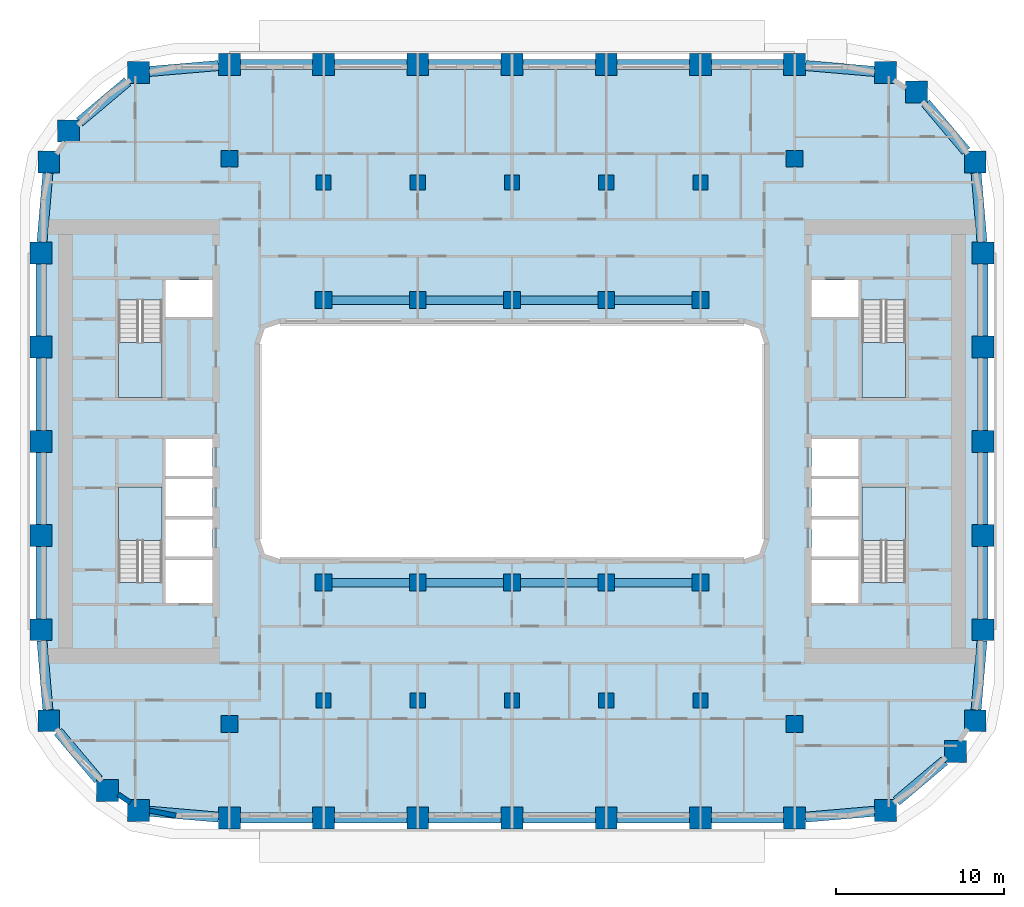
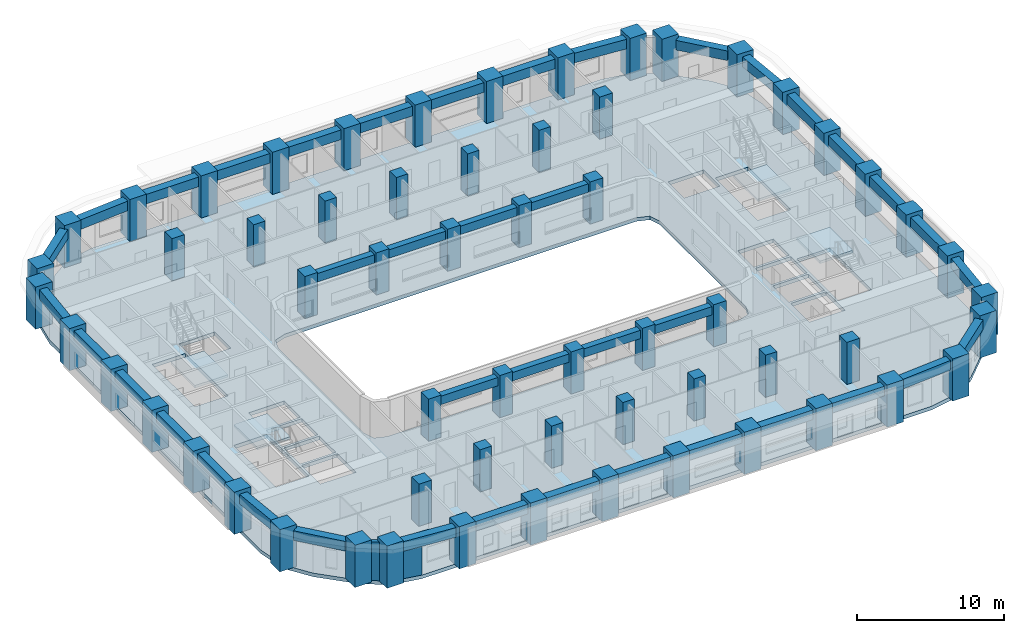
# One storey, part 1 of 22: 60 columns, 40 beams, 5 slabs, 2 walls, 4 elements without a shape of their own.
"""IFC4 building model written with IfcOpenShell, lengths in metres."""

from ifc_helpers import new_model, si_unit, direction, frame, frame_2d, origin, origin_2d, place, context, subcontext, project, spatial, polyline, rectangle, outline, extrude, material, layer, layer_set, material_profile, profile_set, type_object, element, aggregate, save


model = new_model("IFC4")

# Units and contexts
model_context = context("Model", 3, precision=1e-05, world=origin(), true_north=direction((0.0, 1.0)))
body_context = subcontext(model_context, "Body", "Model", "MODEL_VIEW")
ifc_project = project(units=[si_unit("LENGTHUNIT", "METRE"), si_unit("AREAUNIT", "SQUARE_METRE"), si_unit("VOLUMEUNIT", "CUBIC_METRE"), si_unit("PLANEANGLEUNIT", "RADIAN"), si_unit("MASSUNIT", "GRAM", prefix="KILO")], contexts=[model_context])

# Site, building, storey
site_placement = place(None, origin())
site = spatial("IfcSite", under=ifc_project, at=site_placement, CompositionType="ELEMENT")
building_placement = place(site_placement, origin())
building = spatial("IfcBuilding", under=site, at=building_placement, Name="Kiln Ring Residences", CompositionType="ELEMENT")
storey_placement = place(building_placement, frame((0.0, 0.0, 90.300048828125)))
storey = spatial("IfcBuildingStorey", under=building, at=storey_placement, Name="L22", CompositionType="ELEMENT", Elevation=90.300048828125)

# Columns
ifc_material_1 = material(Name="Concrete C80/95", Category="concrete")
ifc_material_profile_1 = material_profile(ifc_material_1, rectangle(XDim=0.89990234375, YDim=0.89990234375, at=origin_2d()), Name="RC900x900")
ifc_profile_set_1 = profile_set([ifc_material_profile_1], Name="Concrete C80/95")
column_type_1 = type_object("IfcColumnType", Name="Corridor column RC900x900 C80/95", PredefinedType="COLUMN", material=ifc_profile_set_1)
for number, where, z_axis, x_axis, name in (
    (1, (-11.199951171875, 15.39990234375, 0.0), (0.0, 0.0, 1.0), (1.0, 0.0, 0.0), "Corridor column L22 1"),
    (2, (-5.60009765625, 15.39990234375, 0.0), (0.0, 0.0, 1.0), (1.0, 0.0, 0.0), "Corridor column L22 2"),
    (3, (0.0, 15.39990234375, 0.0), (0.0, 0.0, 1.0), (1.0, 0.0, 0.0), "Corridor column L22 3"),
    (4, (5.60009765625, 15.39990234375, 0.0), (0.0, 0.0, 1.0), (1.0, 0.0, 0.0), "Corridor column L22 4"),
    (5, (11.199951171875, 15.39990234375, 0.0), (0.0, 0.0, 1.0), (1.0, 0.0, 0.0), "Corridor column L22 5"),
    (6, (-11.199951171875, -15.39990234375, 0.0), (0.0, 0.0, 1.0), (1.0, 0.0, 0.0), "Corridor column L22 6"),
    (7, (-5.60009765625, -15.39990234375, 0.0), (0.0, 0.0, 1.0), (1.0, 0.0, 0.0), "Corridor column L22 7"),
    (8, (0.0, -15.39990234375, 0.0), (0.0, 0.0, 1.0), (1.0, 0.0, 0.0), "Corridor column L22 8"),
    (9, (5.60009765625, -15.39990234375, 0.0), (0.0, 0.0, 1.0), (1.0, 0.0, 0.0), "Corridor column L22 9"),
    (10, (11.199951171875, -15.39990234375, 0.0), (0.0, 0.0, 1.0), (1.0, 0.0, 0.0), "Corridor column L22 10"),
):
    element("IfcColumn", number, at=place(storey_placement, frame(where, z_axis=z_axis, x_axis=x_axis)), inside=storey, type_object=column_type_1, Name=name, PredefinedType="COLUMN", context=body_context, shape_type="SweptSolid", body=[
        extrude(rectangle(XDim=0.89990234375, YDim=0.89990234375, at=origin_2d()), origin(), (0.0, 0.0, 1.0), 3.5),
    ])
ifc_material_2 = material(Name="Concrete C80/95", Category="concrete")
ifc_material_profile_2 = material_profile(ifc_material_2, rectangle(XDim=1.300048828125, YDim=1.300048828125, at=origin_2d()), Name="RC1300x1300")
ifc_profile_set_2 = profile_set([ifc_material_profile_2], Name="Concrete C80/95")
column_type_2 = type_object("IfcColumnType", Name="Perimeter column RC1300x1300 C80/95", PredefinedType="COLUMN", material=ifc_profile_set_2)
for number, where, z_axis, x_axis, name in (
    (11, (-22.208740234375, -21.93798828125, 0.0), (0.0, 0.0, 1.0), (1.0, 0.0, 0.0), "Perimeter column L22 1"),
    (12, (-16.800048828125, -22.39990234375, 0.0), (0.0, 0.0, 1.0), (1.0, 0.0, 0.0), "Perimeter column L22 2"),
    (13, (-11.199951171875, -22.39990234375, 0.0), (0.0, 0.0, 1.0), (1.0, 0.0, 0.0), "Perimeter column L22 3"),
    (14, (-5.60009765625, -22.39990234375, 0.0), (0.0, 0.0, 1.0), (1.0, 0.0, 0.0), "Perimeter column L22 4"),
    (15, (0.0, -22.39990234375, 0.0), (0.0, 0.0, 1.0), (1.0, 0.0, 0.0), "Perimeter column L22 5"),
    (16, (5.60009765625, -22.39990234375, 0.0), (0.0, 0.0, 1.0), (1.0, 0.0, 0.0), "Perimeter column L22 6"),
    (17, (11.199951171875, -22.39990234375, 0.0), (0.0, 0.0, 1.0), (1.0, 0.0, 0.0), "Perimeter column L22 7"),
    (18, (16.800048828125, -22.39990234375, 0.0), (0.0, 0.0, 1.0), (1.0, 0.0, 0.0), "Perimeter column L22 8"),
    (19, (22.208740234375, -21.93798828125, 0.0), (0.0, 0.0, 1.0), (1.0, 0.0, 0.0), "Perimeter column L22 9"),
    (20, (26.35986328125, -18.440185546875, 0.0), (0.0, 0.0, 1.0), (1.0, 0.0, 0.0), "Perimeter column L22 10"),
    (21, (27.5380859375, -16.608642578125, 0.0), (0.0, 0.0, 1.0), (1.0, 0.0, 0.0), "Perimeter column L22 11"),
    (22, (28.0, -11.199951171875, 0.0), (0.0, 0.0, 1.0), (1.0, 0.0, 0.0), "Perimeter column L22 12"),
    (23, (28.0, -5.60009765625, 0.0), (0.0, 0.0, 1.0), (1.0, 0.0, 0.0), "Perimeter column L22 13"),
    (24, (28.0, 0.0, 0.0), (0.0, 0.0, 1.0), (1.0, 0.0, 0.0), "Perimeter column L22 14"),
    (25, (28.0, 5.60009765625, 0.0), (0.0, 0.0, 1.0), (1.0, 0.0, 0.0), "Perimeter column L22 15"),
    (26, (28.0, 11.199951171875, 0.0), (0.0, 0.0, 1.0), (1.0, 0.0, 0.0), "Perimeter column L22 16"),
    (27, (27.5380859375, 16.608642578125, 0.0), (0.0, 0.0, 1.0), (1.0, 0.0, 0.0), "Perimeter column L22 17"),
    (28, (24.040283203125, 20.759765625, 0.0), (0.0, 0.0, 1.0), (1.0, 0.0, 0.0), "Perimeter column L22 18"),
    (29, (22.208740234375, 21.93798828125, 0.0), (0.0, 0.0, 1.0), (1.0, 0.0, 0.0), "Perimeter column L22 19"),
    (30, (16.800048828125, 22.39990234375, 0.0), (0.0, 0.0, 1.0), (1.0, 0.0, 0.0), "Perimeter column L22 20"),
    (31, (11.199951171875, 22.39990234375, 0.0), (0.0, 0.0, 1.0), (1.0, 0.0, 0.0), "Perimeter column L22 21"),
    (32, (5.60009765625, 22.39990234375, 0.0), (0.0, 0.0, 1.0), (1.0, 0.0, 0.0), "Perimeter column L22 22"),
    (33, (0.0, 22.39990234375, 0.0), (0.0, 0.0, 1.0), (1.0, 0.0, 0.0), "Perimeter column L22 23"),
    (34, (-5.60009765625, 22.39990234375, 0.0), (0.0, 0.0, 1.0), (1.0, 0.0, 0.0), "Perimeter column L22 24"),
    (35, (-11.199951171875, 22.39990234375, 0.0), (0.0, 0.0, 1.0), (1.0, 0.0, 0.0), "Perimeter column L22 25"),
    (36, (-16.800048828125, 22.39990234375, 0.0), (0.0, 0.0, 1.0), (1.0, 0.0, 0.0), "Perimeter column L22 26"),
    (37, (-22.208740234375, 21.93798828125, 0.0), (0.0, 0.0, 1.0), (1.0, 0.0, 0.0), "Perimeter column L22 27"),
    (38, (-26.35986328125, 18.440185546875, 0.0), (0.0, 0.0, 1.0), (1.0, 0.0, 0.0), "Perimeter column L22 28"),
    (39, (-27.5380859375, 16.608642578125, 0.0), (0.0, 0.0, 1.0), (1.0, 0.0, 0.0), "Perimeter column L22 29"),
    (40, (-28.0, 11.199951171875, 0.0), (0.0, 0.0, 1.0), (1.0, 0.0, 0.0), "Perimeter column L22 30"),
    (41, (-28.0, 5.60009765625, 0.0), (0.0, 0.0, 1.0), (1.0, 0.0, 0.0), "Perimeter column L22 31"),
    (42, (-28.0, 0.0, 0.0), (0.0, 0.0, 1.0), (1.0, 0.0, 0.0), "Perimeter column L22 32"),
    (43, (-28.0, -5.60009765625, 0.0), (0.0, 0.0, 1.0), (1.0, 0.0, 0.0), "Perimeter column L22 33"),
    (44, (-28.0, -11.199951171875, 0.0), (0.0, 0.0, 1.0), (1.0, 0.0, 0.0), "Perimeter column L22 34"),
    (45, (-27.5380859375, -16.608642578125, 0.0), (0.0, 0.0, 1.0), (1.0, 0.0, 0.0), "Perimeter column L22 35"),
    (46, (-24.040283203125, -20.759765625, 0.0), (0.0, 0.0, 1.0), (1.0, 0.0, 0.0), "Perimeter column L22 36"),
):
    element("IfcColumn", number, at=place(storey_placement, frame(where, z_axis=z_axis, x_axis=x_axis)), inside=storey, type_object=column_type_2, Name=name, PredefinedType="COLUMN", context=body_context, shape_type="SweptSolid", body=[
        extrude(rectangle(XDim=1.300048828125, YDim=1.300048828125, at=origin_2d()), origin(), (0.0, 0.0, 1.0), 3.5),
    ])
ifc_material_3 = material(Name="Concrete C80/95", Category="concrete")
ifc_material_profile_3 = material_profile(ifc_material_3, rectangle(XDim=1.0, YDim=1.0, at=origin_2d()), Name="RC1000x1000")
ifc_profile_set_3 = profile_set([ifc_material_profile_3], Name="Concrete C80/95")
column_type_3 = type_object("IfcColumnType", Name="Ring column RC1000x1000 C80/95", PredefinedType="COLUMN", material=ifc_profile_set_3)
for number, where, z_axis, x_axis, name in (
    (47, (-16.800048828125, -16.800048828125, 0.0), (0.0, 0.0, 1.0), (1.0, 0.0, 0.0), "Ring column L22 1"),
    (48, (-16.800048828125, 16.800048828125, 0.0), (0.0, 0.0, 1.0), (1.0, 0.0, 0.0), "Ring column L22 2"),
    (49, (-11.199951171875, -8.39990234375, 0.0), (0.0, 0.0, 1.0), (1.0, 0.0, 0.0), "Ring column L22 3"),
    (50, (-11.199951171875, 8.39990234375, 0.0), (0.0, 0.0, 1.0), (1.0, 0.0, 0.0), "Ring column L22 4"),
    (51, (-5.60009765625, -8.39990234375, 0.0), (0.0, 0.0, 1.0), (1.0, 0.0, 0.0), "Ring column L22 5"),
    (52, (-5.60009765625, 8.39990234375, 0.0), (0.0, 0.0, 1.0), (1.0, 0.0, 0.0), "Ring column L22 6"),
    (53, (0.0, -8.39990234375, 0.0), (0.0, 0.0, 1.0), (1.0, 0.0, 0.0), "Ring column L22 7"),
    (54, (0.0, 8.39990234375, 0.0), (0.0, 0.0, 1.0), (1.0, 0.0, 0.0), "Ring column L22 8"),
    (55, (5.60009765625, -8.39990234375, 0.0), (0.0, 0.0, 1.0), (1.0, 0.0, 0.0), "Ring column L22 9"),
    (56, (5.60009765625, 8.39990234375, 0.0), (0.0, 0.0, 1.0), (1.0, 0.0, 0.0), "Ring column L22 10"),
    (57, (11.199951171875, -8.39990234375, 0.0), (0.0, 0.0, 1.0), (1.0, 0.0, 0.0), "Ring column L22 11"),
    (58, (11.199951171875, 8.39990234375, 0.0), (0.0, 0.0, 1.0), (1.0, 0.0, 0.0), "Ring column L22 12"),
    (59, (16.800048828125, -16.800048828125, 0.0), (0.0, 0.0, 1.0), (1.0, 0.0, 0.0), "Ring column L22 13"),
    (60, (16.800048828125, 16.800048828125, 0.0), (0.0, 0.0, 1.0), (1.0, 0.0, 0.0), "Ring column L22 14"),
):
    element("IfcColumn", number, at=place(storey_placement, frame(where, z_axis=z_axis, x_axis=x_axis)), inside=storey, type_object=column_type_3, Name=name, PredefinedType="COLUMN", context=body_context, shape_type="SweptSolid", body=[
        extrude(rectangle(XDim=1.0, YDim=1.0, at=origin_2d()), origin(), (0.0, 0.0, 1.0), 3.5),
    ])

# Beams
ifc_material_4 = material(Name="Concrete C50/60", Category="concrete")
ifc_material_profile_4 = material_profile(ifc_material_4, rectangle(XDim=0.5, YDim=0.699951171875, at=origin_2d()), Name="RC500x700")
ifc_profile_set_4 = profile_set([ifc_material_profile_4], Name="Concrete C50/60")
beam_type_1 = type_object("IfcBeamType", Name="Ring beam RC500x700 C50/60", PredefinedType="BEAM", material=ifc_profile_set_4)
beam_1_placement = place(storey_placement, frame((-10.699951171875, -8.39990234375, 2.849853515625), z_axis=(1.0, 0.0, 0.0), x_axis=(0.0, 1.0, 0.0)))
element("IfcBeam", 61, at=beam_1_placement, inside=storey, type_object=beam_type_1, Name="Ring beam L22 1", PredefinedType="BEAM", context=body_context, shape_type="SweptSolid", body=[
    extrude(rectangle(XDim=0.5, YDim=0.699951171875, at=origin_2d()), origin(), (0.0, 0.0, 1.0), 4.599853515625),
])
for number, where, z_axis, x_axis, name in (
    (62, (-5.10009765625, -8.39990234375, 2.849853515625), (1.0, 0.0, 0.0), (0.0, 1.0, 0.0), "Ring beam L22 2"),
    (63, (0.5, -8.39990234375, 2.849853515625), (1.0, 0.0, 0.0), (0.0, 1.0, 0.0), "Ring beam L22 3"),
):
    element("IfcBeam", number, at=place(storey_placement, frame(where, z_axis=z_axis, x_axis=x_axis)), inside=storey, type_object=beam_type_1, Name=name, PredefinedType="BEAM", context=body_context, shape_type="SweptSolid", body=[
        extrude(rectangle(XDim=0.5, YDim=0.699951171875, at=origin_2d()), origin(), (0.0, 0.0, 1.0), 4.60009765625),
    ])
for number, where, z_axis, x_axis, name in (
    (64, (6.10009765625, -8.39990234375, 2.849853515625), (1.0, 0.0, 0.0), (0.0, 1.0, 0.0), "Ring beam L22 4"),
    (65, (-10.699951171875, 8.39990234375, 2.849853515625), (1.0, 0.0, 0.0), (0.0, 1.0, 0.0), "Ring beam L22 5"),
):
    element("IfcBeam", number, at=place(storey_placement, frame(where, z_axis=z_axis, x_axis=x_axis)), inside=storey, type_object=beam_type_1, Name=name, PredefinedType="BEAM", context=body_context, shape_type="SweptSolid", body=[
        extrude(rectangle(XDim=0.5, YDim=0.699951171875, at=origin_2d()), origin(), (0.0, 0.0, 1.0), 4.599853515625),
    ])
for number, where, z_axis, x_axis, name in (
    (66, (-5.10009765625, 8.39990234375, 2.849853515625), (1.0, 0.0, 0.0), (0.0, 1.0, 0.0), "Ring beam L22 6"),
    (67, (0.5, 8.39990234375, 2.849853515625), (1.0, 0.0, 0.0), (0.0, 1.0, 0.0), "Ring beam L22 7"),
):
    element("IfcBeam", number, at=place(storey_placement, frame(where, z_axis=z_axis, x_axis=x_axis)), inside=storey, type_object=beam_type_1, Name=name, PredefinedType="BEAM", context=body_context, shape_type="SweptSolid", body=[
        extrude(rectangle(XDim=0.5, YDim=0.699951171875, at=origin_2d()), origin(), (0.0, 0.0, 1.0), 4.60009765625),
    ])
beam_2_placement = place(storey_placement, frame((6.10009765625, 8.39990234375, 2.849853515625), z_axis=(1.0, 0.0, 0.0), x_axis=(0.0, 1.0, 0.0)))
element("IfcBeam", 68, at=beam_2_placement, inside=storey, type_object=beam_type_1, Name="Ring beam L22 8", PredefinedType="BEAM", context=body_context, shape_type="SweptSolid", body=[
    extrude(rectangle(XDim=0.5, YDim=0.699951171875, at=origin_2d()), origin(), (0.0, 0.0, 1.0), 4.599853515625),
])
ifc_material_5 = material(Name="Concrete C50/60", Category="concrete")
ifc_material_profile_5 = material_profile(ifc_material_5, rectangle(XDim=0.60009765625, YDim=0.800048828125, at=origin_2d()), Name="RC600x800")
ifc_profile_set_5 = profile_set([ifc_material_profile_5], Name="Concrete C50/60")
beam_type_2 = type_object("IfcBeamType", Name="Spandrel beam RC600x800 C50/60", PredefinedType="SPANDREL", material=ifc_profile_set_5)
beam_3_placement = place(storey_placement, frame((-21.55859375, -21.99365234375, 2.800048828125), z_axis=(0.99637423264, -0.085078719609, 0.0), x_axis=(0.085078719609, 0.99637423264, 0.0)))
element("IfcBeam", 69, at=beam_3_placement, inside=storey, type_object=beam_type_2, Name="Spandrel beam L22 1", PredefinedType="SPANDREL", context=body_context, shape_type="SweptSolid", body=[
    extrude(rectangle(XDim=0.60009765625, YDim=0.800048828125, at=origin_2d()), origin(), (0.0, 0.0, 1.0), 4.12353515625),
])
beam_4_placement = place(storey_placement, frame((-16.14990234375, -22.39990234375, 2.800048828125), z_axis=(1.0, 0.0, 0.0), x_axis=(0.0, 1.0, 0.0)))
element("IfcBeam", 70, at=beam_4_placement, inside=storey, type_object=beam_type_2, Name="Spandrel beam L22 2", PredefinedType="SPANDREL", context=body_context, shape_type="SweptSolid", body=[
    extrude(rectangle(XDim=0.60009765625, YDim=0.800048828125, at=origin_2d()), origin(), (0.0, 0.0, 1.0), 4.2998046875),
])
for number, where, z_axis, x_axis, name in (
    (71, (-10.550048828125, -22.39990234375, 2.800048828125), (1.0, 0.0, 0.0), (0.0, 1.0, 0.0), "Spandrel beam L22 3"),
    (72, (-4.949951171875, -22.39990234375, 2.800048828125), (1.0, 0.0, 0.0), (0.0, 1.0, 0.0), "Spandrel beam L22 4"),
    (73, (0.64990234375, -22.39990234375, 2.800048828125), (1.0, 0.0, 0.0), (0.0, 1.0, 0.0), "Spandrel beam L22 5"),
    (74, (6.25, -22.39990234375, 2.800048828125), (1.0, 0.0, 0.0), (0.0, 1.0, 0.0), "Spandrel beam L22 6"),
):
    element("IfcBeam", number, at=place(storey_placement, frame(where, z_axis=z_axis, x_axis=x_axis)), inside=storey, type_object=beam_type_2, Name=name, PredefinedType="SPANDREL", context=body_context, shape_type="SweptSolid", body=[
        extrude(rectangle(XDim=0.60009765625, YDim=0.800048828125, at=origin_2d()), origin(), (0.0, 0.0, 1.0), 4.300048828125),
    ])
beam_5_placement = place(storey_placement, frame((11.85009765625, -22.39990234375, 2.800048828125), z_axis=(1.0, 0.0, 0.0), x_axis=(0.0, 1.0, 0.0)))
element("IfcBeam", 75, at=beam_5_placement, inside=storey, type_object=beam_type_2, Name="Spandrel beam L22 7", PredefinedType="SPANDREL", context=body_context, shape_type="SweptSolid", body=[
    extrude(rectangle(XDim=0.60009765625, YDim=0.800048828125, at=origin_2d()), origin(), (0.0, 0.0, 1.0), 4.2998046875),
])
beam_6_placement = place(storey_placement, frame((17.449951171875, -22.344482421875, 2.800048828125), z_axis=(0.99637423264, 0.085078719609, 0.0), x_axis=(-0.085078719609, 0.99637423264, 0.0)))
element("IfcBeam", 76, at=beam_6_placement, inside=storey, type_object=beam_type_2, Name="Spandrel beam L22 8", PredefinedType="SPANDREL", context=body_context, shape_type="SweptSolid", body=[
    extrude(rectangle(XDim=0.60009765625, YDim=0.800048828125, at=origin_2d()), origin(), (0.0, 0.0, 1.0), 4.12353515625),
])
beam_7_placement = place(storey_placement, frame((22.858642578125, -21.390380859375, 2.800048828125), z_axis=(0.764720974908, 0.644361568171, 0.0), x_axis=(-0.644361568171, 0.764720974908, 0.0)))
element("IfcBeam", 77, at=beam_7_placement, inside=storey, type_object=beam_type_2, Name="Spandrel beam L22 9", PredefinedType="SPANDREL", context=body_context, shape_type="SweptSolid", body=[
    extrude(rectangle(XDim=0.60009765625, YDim=0.800048828125, at=origin_2d()), origin(), (0.0, 0.0, 1.0), 3.728271484375),
])
beam_8_placement = place(storey_placement, frame((27.593505859375, -15.958740234375, 2.800048828125), z_axis=(0.0851374964, 0.996369212043, 0.0), x_axis=(-0.996369212043, 0.0851374964, 0.0)))
element("IfcBeam", 78, at=beam_8_placement, inside=storey, type_object=beam_type_2, Name="Spandrel beam L22 10", PredefinedType="SPANDREL", context=body_context, shape_type="SweptSolid", body=[
    extrude(rectangle(XDim=0.60009765625, YDim=0.800048828125, at=origin_2d()), origin(), (0.0, 0.0, 1.0), 4.12353515625),
])
for number, where, z_axis, x_axis, name in (
    (79, (28.0, -10.550048828125, 2.800048828125), (0.0, 1.0, 0.0), (-1.0, 0.0, 0.0), "Spandrel beam L22 11"),
    (80, (28.0, -4.949951171875, 2.800048828125), (0.0, 1.0, 0.0), (-1.0, 0.0, 0.0), "Spandrel beam L22 12"),
    (81, (28.0, 0.64990234375, 2.800048828125), (0.0, 1.0, 0.0), (-1.0, 0.0, 0.0), "Spandrel beam L22 13"),
    (82, (28.0, 6.25, 2.800048828125), (0.0, 1.0, 0.0), (-1.0, 0.0, 0.0), "Spandrel beam L22 14"),
):
    element("IfcBeam", number, at=place(storey_placement, frame(where, z_axis=z_axis, x_axis=x_axis)), inside=storey, type_object=beam_type_2, Name=name, PredefinedType="SPANDREL", context=body_context, shape_type="SweptSolid", body=[
        extrude(rectangle(XDim=0.60009765625, YDim=0.800048828125, at=origin_2d()), origin(), (0.0, 0.0, 1.0), 4.300048828125),
    ])
beam_9_placement = place(storey_placement, frame((27.944580078125, 11.85009765625, 2.800048828125), z_axis=(-0.0851374964, 0.996369212043, 0.0), x_axis=(-0.996369212043, -0.0851374964, 0.0)))
element("IfcBeam", 83, at=beam_9_placement, inside=storey, type_object=beam_type_2, Name="Spandrel beam L22 15", PredefinedType="SPANDREL", context=body_context, shape_type="SweptSolid", body=[
    extrude(rectangle(XDim=0.60009765625, YDim=0.800048828125, at=origin_2d()), origin(), (0.0, 0.0, 1.0), 4.12353515625),
])
beam_10_placement = place(storey_placement, frame((26.990478515625, 17.2587890625, 2.800048828125), z_axis=(-0.644399860611, 0.764688707674, 0.0), x_axis=(-0.764688707674, -0.644399860611, 0.0)))
element("IfcBeam", 84, at=beam_10_placement, inside=storey, type_object=beam_type_2, Name="Spandrel beam L22 16", PredefinedType="SPANDREL", context=body_context, shape_type="SweptSolid", body=[
    extrude(rectangle(XDim=0.60009765625, YDim=0.800048828125, at=origin_2d()), origin(), (0.0, 0.0, 1.0), 3.728515625),
])
beam_11_placement = place(storey_placement, frame((21.55859375, 21.99365234375, 2.800048828125), z_axis=(-0.99637423264, 0.085078719609, 0.0), x_axis=(-0.085078719609, -0.99637423264, 0.0)))
element("IfcBeam", 85, at=beam_11_placement, inside=storey, type_object=beam_type_2, Name="Spandrel beam L22 17", PredefinedType="SPANDREL", context=body_context, shape_type="SweptSolid", body=[
    extrude(rectangle(XDim=0.60009765625, YDim=0.800048828125, at=origin_2d()), origin(), (0.0, 0.0, 1.0), 4.12353515625),
])
beam_12_placement = place(storey_placement, frame((16.14990234375, 22.39990234375, 2.800048828125), z_axis=(-1.0, 0.0, 0.0), x_axis=(0.0, -1.0, 0.0)))
element("IfcBeam", 86, at=beam_12_placement, inside=storey, type_object=beam_type_2, Name="Spandrel beam L22 18", PredefinedType="SPANDREL", context=body_context, shape_type="SweptSolid", body=[
    extrude(rectangle(XDim=0.60009765625, YDim=0.800048828125, at=origin_2d()), origin(), (0.0, 0.0, 1.0), 4.2998046875),
])
for number, where, z_axis, x_axis, name in (
    (87, (10.550048828125, 22.39990234375, 2.800048828125), (-1.0, 0.0, 0.0), (0.0, -1.0, 0.0), "Spandrel beam L22 19"),
    (88, (4.949951171875, 22.39990234375, 2.800048828125), (-1.0, 0.0, 0.0), (0.0, -1.0, 0.0), "Spandrel beam L22 20"),
    (89, (-0.64990234375, 22.39990234375, 2.800048828125), (-1.0, 0.0, 0.0), (0.0, -1.0, 0.0), "Spandrel beam L22 21"),
    (90, (-6.25, 22.39990234375, 2.800048828125), (-1.0, 0.0, 0.0), (0.0, -1.0, 0.0), "Spandrel beam L22 22"),
):
    element("IfcBeam", number, at=place(storey_placement, frame(where, z_axis=z_axis, x_axis=x_axis)), inside=storey, type_object=beam_type_2, Name=name, PredefinedType="SPANDREL", context=body_context, shape_type="SweptSolid", body=[
        extrude(rectangle(XDim=0.60009765625, YDim=0.800048828125, at=origin_2d()), origin(), (0.0, 0.0, 1.0), 4.300048828125),
    ])
beam_13_placement = place(storey_placement, frame((-11.85009765625, 22.39990234375, 2.800048828125), z_axis=(-1.0, 0.0, 0.0), x_axis=(0.0, -1.0, 0.0)))
element("IfcBeam", 91, at=beam_13_placement, inside=storey, type_object=beam_type_2, Name="Spandrel beam L22 23", PredefinedType="SPANDREL", context=body_context, shape_type="SweptSolid", body=[
    extrude(rectangle(XDim=0.60009765625, YDim=0.800048828125, at=origin_2d()), origin(), (0.0, 0.0, 1.0), 4.2998046875),
])
beam_14_placement = place(storey_placement, frame((-17.449951171875, 22.344482421875, 2.800048828125), z_axis=(-0.99637423264, -0.085078719609, 0.0), x_axis=(0.085078719609, -0.99637423264, 0.0)))
element("IfcBeam", 92, at=beam_14_placement, inside=storey, type_object=beam_type_2, Name="Spandrel beam L22 24", PredefinedType="SPANDREL", context=body_context, shape_type="SweptSolid", body=[
    extrude(rectangle(XDim=0.60009765625, YDim=0.800048828125, at=origin_2d()), origin(), (0.0, 0.0, 1.0), 4.12353515625),
])
beam_15_placement = place(storey_placement, frame((-22.858642578125, 21.390380859375, 2.800048828125), z_axis=(-0.764720974908, -0.644361568171, 0.0), x_axis=(0.644361568171, -0.764720974908, 0.0)))
element("IfcBeam", 93, at=beam_15_placement, inside=storey, type_object=beam_type_2, Name="Spandrel beam L22 25", PredefinedType="SPANDREL", context=body_context, shape_type="SweptSolid", body=[
    extrude(rectangle(XDim=0.60009765625, YDim=0.800048828125, at=origin_2d()), origin(), (0.0, 0.0, 1.0), 3.728271484375),
])
beam_16_placement = place(storey_placement, frame((-27.593505859375, 15.958740234375, 2.800048828125), z_axis=(-0.0851374964, -0.996369212043, 0.0), x_axis=(0.996369212043, -0.0851374964, 0.0)))
element("IfcBeam", 94, at=beam_16_placement, inside=storey, type_object=beam_type_2, Name="Spandrel beam L22 26", PredefinedType="SPANDREL", context=body_context, shape_type="SweptSolid", body=[
    extrude(rectangle(XDim=0.60009765625, YDim=0.800048828125, at=origin_2d()), origin(), (0.0, 0.0, 1.0), 4.12353515625),
])
for number, where, z_axis, x_axis, name in (
    (95, (-28.0, 10.550048828125, 2.800048828125), (0.0, -1.0, 0.0), (1.0, 0.0, 0.0), "Spandrel beam L22 27"),
    (96, (-28.0, 4.949951171875, 2.800048828125), (0.0, -1.0, 0.0), (1.0, 0.0, 0.0), "Spandrel beam L22 28"),
    (97, (-28.0, -0.64990234375, 2.800048828125), (0.0, -1.0, 0.0), (1.0, 0.0, 0.0), "Spandrel beam L22 29"),
    (98, (-28.0, -6.25, 2.800048828125), (0.0, -1.0, 0.0), (1.0, 0.0, 0.0), "Spandrel beam L22 30"),
):
    element("IfcBeam", number, at=place(storey_placement, frame(where, z_axis=z_axis, x_axis=x_axis)), inside=storey, type_object=beam_type_2, Name=name, PredefinedType="SPANDREL", context=body_context, shape_type="SweptSolid", body=[
        extrude(rectangle(XDim=0.60009765625, YDim=0.800048828125, at=origin_2d()), origin(), (0.0, 0.0, 1.0), 4.300048828125),
    ])
beam_17_placement = place(storey_placement, frame((-27.944580078125, -11.85009765625, 2.800048828125), z_axis=(0.0851374964, -0.996369212043, 0.0), x_axis=(0.996369212043, 0.0851374964, 0.0)))
element("IfcBeam", 99, at=beam_17_placement, inside=storey, type_object=beam_type_2, Name="Spandrel beam L22 31", PredefinedType="SPANDREL", context=body_context, shape_type="SweptSolid", body=[
    extrude(rectangle(XDim=0.60009765625, YDim=0.800048828125, at=origin_2d()), origin(), (0.0, 0.0, 1.0), 4.12353515625),
])
beam_18_placement = place(storey_placement, frame((-26.990478515625, -17.2587890625, 2.800048828125), z_axis=(0.644399860611, -0.764688707674, 0.0), x_axis=(0.764688707674, 0.644399860611, 0.0)))
element("IfcBeam", 100, at=beam_18_placement, inside=storey, type_object=beam_type_2, Name="Spandrel beam L22 32", PredefinedType="SPANDREL", context=body_context, shape_type="SweptSolid", body=[
    extrude(rectangle(XDim=0.60009765625, YDim=0.800048828125, at=origin_2d()), origin(), (0.0, 0.0, 1.0), 3.728515625),
])

# Stair, slab
ifc_material_6 = material(Name="Concrete C40/50", Category="concrete")
stair_type = type_object("IfcStairType", Name="CORE-STAIR", PredefinedType="HALF_TURN_STAIR", material=ifc_material_6)
placement_1 = place(storey_placement, origin())
stair_1 = element("IfcStair", 101, at=placement_1, inside=storey, type_object=stair_type, Name="L22 stair W-STN", PredefinedType="HALF_TURN_STAIR")
ifc_material_7 = material(Name="Concrete C40/50", Category="concrete")
ifc_layer_1 = layer(ifc_material_7, 0.199951171875)
ifc_layer_set_1 = layer_set([ifc_layer_1], Name="CORE-STAIR-LANDING")
slab_type_1 = type_object("IfcSlabType", Name="CORE-STAIR-LANDING", PredefinedType="LANDING", material=ifc_layer_set_1)
placement_2 = place(storey_placement, frame((0.0, 0.0, 1.550048828125)))
slab_1 = element("IfcSlab", 102, at=placement_2, type_object=slab_type_1, Name="W-STN landing 1", PredefinedType="LANDING", context=body_context, shape_type="SweptSolid", body=[
    extrude(outline(polyline([(-23.39990234375, 5.8798828125), (-23.39990234375, 2.60009765625), (-20.800048828125, 2.60009765625), (-20.800048828125, 5.8798828125), (-23.39990234375, 5.8798828125)])), origin(), (0.0, 0.0, 1.0), 0.199951171875),
])
aggregate(stair_1, [slab_1])

stair_2 = element("IfcStair", 103, at=placement_1, inside=storey, type_object=stair_type, Name="L22 stair W-STS", PredefinedType="HALF_TURN_STAIR")
slab_2 = element("IfcSlab", 104, at=placement_2, type_object=slab_type_1, Name="W-STS landing 1", PredefinedType="LANDING", context=body_context, shape_type="SweptSolid", body=[
    extrude(outline(polyline([(-20.800048828125, -5.8798828125), (-20.800048828125, -2.699951171875), (-23.39990234375, -2.699951171875), (-23.39990234375, -5.8798828125), (-20.800048828125, -5.8798828125)])), origin(), (0.0, 0.0, 1.0), 0.199951171875),
])
aggregate(stair_2, [slab_2])

stair_3 = element("IfcStair", 105, at=placement_1, inside=storey, type_object=stair_type, Name="L22 stair E-STN", PredefinedType="HALF_TURN_STAIR")
slab_3 = element("IfcSlab", 106, at=placement_2, type_object=slab_type_1, Name="E-STN landing 1", PredefinedType="LANDING", context=body_context, shape_type="SweptSolid", body=[
    extrude(outline(polyline([(20.800048828125, 5.8798828125), (20.800048828125, 2.60009765625), (23.39990234375, 2.60009765625), (23.39990234375, 5.8798828125), (20.800048828125, 5.8798828125)])), origin(), (0.0, 0.0, 1.0), 0.199951171875),
])
aggregate(stair_3, [slab_3])

stair_4 = element("IfcStair", 107, at=placement_1, inside=storey, type_object=stair_type, Name="L22 stair E-STS", PredefinedType="HALF_TURN_STAIR")
slab_4 = element("IfcSlab", 108, at=placement_2, type_object=slab_type_1, Name="E-STS landing 1", PredefinedType="LANDING", context=body_context, shape_type="SweptSolid", body=[
    extrude(outline(polyline([(23.39990234375, -5.8798828125), (23.39990234375, -2.699951171875), (20.800048828125, -2.699951171875), (20.800048828125, -5.8798828125), (23.39990234375, -5.8798828125)])), origin(), (0.0, 0.0, 1.0), 0.199951171875),
])
aggregate(stair_4, [slab_4])

# Slab
ifc_material_8 = material(Name="Concrete C40/50", Category="concrete")
ifc_layer_2 = layer(ifc_material_8, 0.300048828125)
ifc_layer_set_2 = layer_set([ifc_layer_2], Name="Floor slab 300")
slab_type_2 = type_object("IfcSlabType", Name="Floor slab 300", PredefinedType="FLOOR", material=ifc_layer_set_2)
slab_5_placement = place(storey_placement, frame((0.0, 0.0, -0.300048828125)))
element("IfcSlab", 109, at=slab_5_placement, inside=storey, type_object=slab_type_2, Name="Floor slab L22 1", PredefinedType="FLOOR", context=body_context, shape_type="SweptSolid", body=[
    extrude(outline(polyline([(-26.302978515625, -18.4970703125), (-24.09716796875, -20.702880859375), (-22.224365234375, -21.975830078125), (-20.0, -22.39990234375), (20.0, -22.39990234375), (22.224365234375, -21.975830078125), (24.09716796875, -20.702880859375), (26.302978515625, -18.4970703125), (27.57568359375, -16.624267578125), (28.0, -14.39990234375), (28.0, 14.39990234375), (27.57568359375, 16.624267578125), (26.302978515625, 18.4970703125), (24.09716796875, 20.702880859375), (22.224365234375, 21.975830078125), (20.0, 22.39990234375), (-20.0, 22.39990234375), (-22.224365234375, 21.975830078125), (-24.09716796875, 20.702880859375), (-26.302978515625, 18.4970703125), (-27.57568359375, 16.624267578125), (-28.0, 14.39990234375), (-28.0, -14.39990234375), (-27.57568359375, -16.624267578125), (-26.302978515625, -18.4970703125)]), holes=[polyline([(-14.699951171875, -6.699951171875), (-15.0, -5.800048828125), (-15.0, 5.800048828125), (-14.699951171875, 6.699951171875), (-13.800048828125, 7.0), (13.800048828125, 7.0), (14.699951171875, 6.699951171875), (15.0, 5.800048828125), (15.0, -5.800048828125), (14.699951171875, -6.699951171875), (13.800048828125, -7.0), (-13.800048828125, -7.0), (-14.699951171875, -6.699951171875)]), polyline([(20.800048828125, -8.39794921875), (20.800048828125, -2.699951171875), (23.39990234375, -2.699951171875), (23.39990234375, -8.39794921875), (20.800048828125, -8.39794921875)]), polyline([(20.800048828125, 2.60009765625), (20.800048828125, 8.39794921875), (23.39990234375, 8.39794921875), (23.39990234375, 2.60009765625), (20.800048828125, 2.60009765625)]), polyline([(17.800048828125, -6.85009765625), (17.800048828125, -4.64990234375), (20.60009765625, -4.64990234375), (20.60009765625, -6.85009765625), (17.800048828125, -6.85009765625)]), polyline([(17.800048828125, -4.449951171875), (17.800048828125, -2.25), (20.60009765625, -2.25), (20.60009765625, -4.449951171875), (17.800048828125, -4.449951171875)]), polyline([(17.800048828125, -2.050048828125), (17.800048828125, 0.14990234375), (20.60009765625, 0.14990234375), (20.60009765625, -2.050048828125), (17.800048828125, -2.050048828125)]), polyline([(17.800048828125, 7.39990234375), (17.800048828125, 9.60009765625), (20.60009765625, 9.60009765625), (20.60009765625, 7.39990234375), (17.800048828125, 7.39990234375)]), polyline([(20.60009765625, -9.60009765625), (17.800048828125, -9.60009765625), (17.800048828125, -7.050048828125), (20.60009765625, -7.050048828125), (20.60009765625, -9.60009765625)]), polyline([(-17.800048828125, -7.050048828125), (-17.800048828125, -9.60009765625), (-20.60009765625, -9.60009765625), (-20.60009765625, -7.050048828125), (-17.800048828125, -7.050048828125)]), polyline([(-17.800048828125, -6.85009765625), (-20.60009765625, -6.85009765625), (-20.60009765625, -4.64990234375), (-17.800048828125, -4.64990234375), (-17.800048828125, -6.85009765625)]), polyline([(-17.800048828125, -4.449951171875), (-20.60009765625, -4.449951171875), (-20.60009765625, -2.25), (-17.800048828125, -2.25), (-17.800048828125, -4.449951171875)]), polyline([(-17.800048828125, -2.050048828125), (-20.60009765625, -2.050048828125), (-20.60009765625, 0.14990234375), (-17.800048828125, 0.14990234375), (-17.800048828125, -2.050048828125)]), polyline([(-17.800048828125, 7.39990234375), (-20.60009765625, 7.39990234375), (-20.60009765625, 9.60009765625), (-17.800048828125, 9.60009765625), (-17.800048828125, 7.39990234375)]), polyline([(-20.800048828125, -8.39794921875), (-23.39990234375, -8.39794921875), (-23.39990234375, -2.699951171875), (-20.800048828125, -2.699951171875), (-20.800048828125, -8.39794921875)]), polyline([(-20.800048828125, 2.60009765625), (-23.39990234375, 2.60009765625), (-23.39990234375, 8.39794921875), (-20.800048828125, 8.39794921875), (-20.800048828125, 2.60009765625)])]), origin(), (0.0, 0.0, 1.0), 0.300048828125),
])

# Walls
ifc_material_9 = material(Name="Brick masonry, dark clay brick", Category="masonry")
ifc_layer_3 = layer(ifc_material_9, 0.300048828125)
ifc_layer_set_3 = layer_set([ifc_layer_3], Name="EW-300 BRICK WALL")
wall_type = type_object("IfcWallType", Name="EW-300 BRICK WALL", PredefinedType="SOLIDWALL", material=ifc_layer_set_3)
wall_1_placement = place(storey_placement, frame((-23.409912109375, -20.988525390625, 0.0), z_axis=(0.0, 0.0, 1.0), x_axis=(0.827050703543, -0.562127328787, 0.0)))
element("IfcWall", 110, at=wall_1_placement, inside=storey, type_object=wall_type, Name="Facade wall L22 2", PredefinedType="SOLIDWALL", context=body_context, shape_type="SweptSolid", body=[
    extrude(rectangle(XDim=0.877197265625, YDim=0.300048828125, at=frame_2d((0.4384765625, 0.0))), origin(), (0.0, 0.0, 1.0), 3.199951171875),
])
wall_2_placement = place(storey_placement, frame((-21.549560546875, -21.95166015625, 0.0), z_axis=(0.0, 0.0, 1.0), x_axis=(0.982278644094, -0.187426426519, 0.0)))
element("IfcWall", 111, at=wall_2_placement, inside=storey, type_object=wall_type, Name="Facade wall L22 3", PredefinedType="SOLIDWALL", context=body_context, shape_type="SweptSolid", body=[
    extrude(rectangle(XDim=1.606201171875, YDim=0.300048828125, at=frame_2d((0.80322265625, 0.0))), origin(), (0.0, 0.0, 1.0), 2.39990234375),
])

save(model, "model.ifc")
